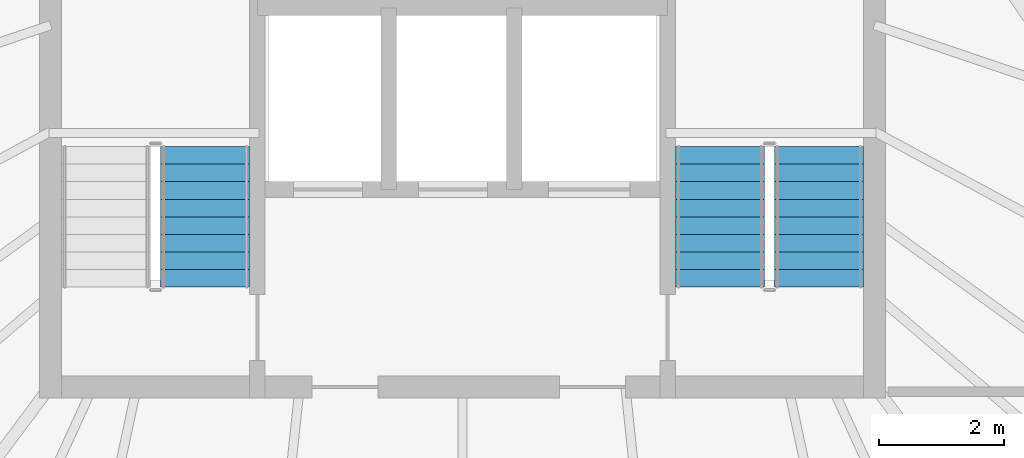
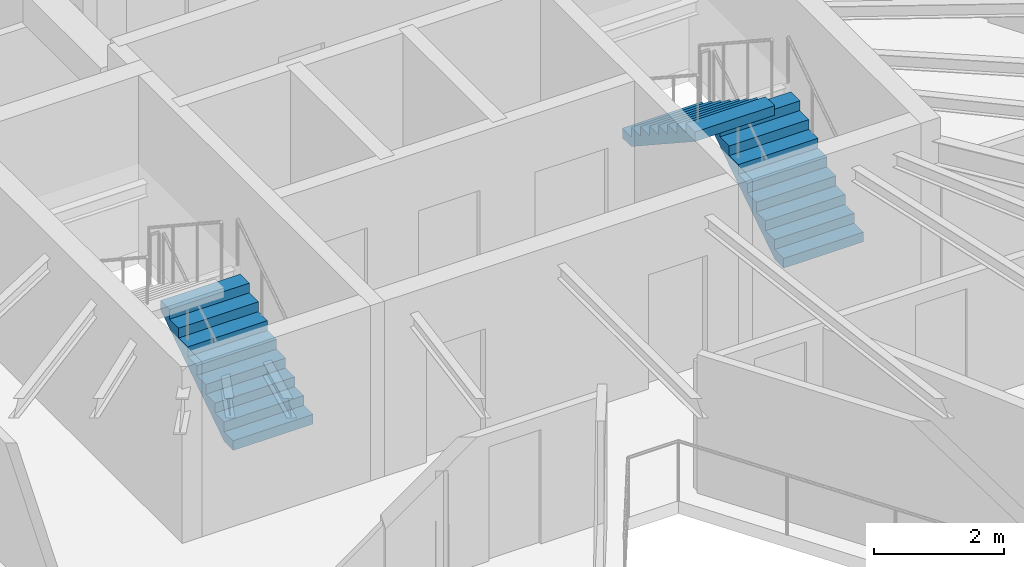
# One storey, part 27 of 29: 3 stair flights, 2 elements without a shape of their own.
"""IFC4 building model written with IfcOpenShell, lengths in metres."""

import ifcopenshell
import ifcopenshell.guid

model = None  # the IFC model being written
_history = None  # IfcOwnerHistory: only IFC2X3 demands one
_inside = {}  # id of a spatial element -> (the spatial element, [elements in it])
_under = {}  # id of a project, library or spatial element -> (it, [spatial elements below it])
_declared = {}  # id of a project -> (the project, [libraries it declares])
_typed = {}  # id of a type object -> (the type object, [elements of that type])
_made_of = {}  # id of a material, layer set ... -> (it, [elements and type objects made of it])


def new_model(schema):
    """Start an empty IFC model of exactly this schema.

    Asked for "IFC4X3", IfcOpenShell would pick the latest addendum, in which some entities
    have other attributes; the version numbers below select the first issue.
    IFC2X3 requires an IfcOwnerHistory on every rooted entity: one is made here for all.
    """
    global model, _history
    if schema == "IFC4X3":
        model = ifcopenshell.file(schema_version=(4, 3, 0, 0))
    else:
        model = ifcopenshell.file(schema=schema)
    _inside.clear()
    _under.clear()
    _declared.clear()
    _typed.clear()
    _made_of.clear()
    _history = None
    if model.schema == "IFC2X3":
        org = make("IfcOrganization", Name="unknown")
        user = make(
            "IfcPersonAndOrganization",
            ThePerson=make("IfcPerson", FamilyName="unknown"),
            TheOrganization=org,
        )
        app = make(
            "IfcApplication",
            ApplicationDeveloper=org,
            Version="unknown",
            ApplicationFullName="unknown",
            ApplicationIdentifier="unknown",
        )
        _history = make(
            "IfcOwnerHistory",
            OwningUser=user,
            OwningApplication=app,
            ChangeAction="ADDED",
            CreationDate=0,
        )
    return model


def make(cls, **values):
    """One entity of the class cls with the attributes given. An attribute that is None is left unset."""
    return model.create_entity(
        cls, **{name: value for name, value in values.items() if value is not None}
    )


def rooted(cls, **values):
    """An entity with a GlobalId (a new one), such as an element, a storey or a relation."""
    return make(cls, GlobalId=ifcopenshell.guid.new(), OwnerHistory=_history, **values)


def si_unit(unit_type, name, prefix=None):
    """IfcSIUnit, for example si_unit("LENGTHUNIT", "METRE", prefix="MILLI")."""
    return make("IfcSIUnit", UnitType=unit_type, Prefix=prefix, Name=name)


def assignment(units):
    """IfcUnitAssignment: the units of a project."""
    return None if units is None else make("IfcUnitAssignment", Units=units)


def point(xyz):
    """IfcCartesianPoint."""
    return None if xyz is None else make("IfcCartesianPoint", Coordinates=xyz)


def direction(xyz):
    """IfcDirection."""
    return None if xyz is None else make("IfcDirection", DirectionRatios=xyz)


def frame(location, z_axis=None, x_axis=None):
    """IfcAxis2Placement3D, a coordinate frame: its origin and axes. An axis left out is left unset."""
    return make(
        "IfcAxis2Placement3D",
        Location=point(location),
        Axis=direction(z_axis),
        RefDirection=direction(x_axis),
    )


def origin():
    """The frame at (0, 0, 0) with its axes left unset."""
    return frame((0.0, 0.0, 0.0))


def place(relative_to, where):
    """IfcLocalPlacement: puts the frame where relative to a parent placement (None: the world)."""
    return make(
        "IfcLocalPlacement", PlacementRelTo=relative_to, RelativePlacement=where
    )


def context(
    kind, dimensions, precision=None, world=None, true_north=None, identifier=None
):
    """IfcGeometricRepresentationContext, for example the 3D "Model" context."""
    return make(
        "IfcGeometricRepresentationContext",
        ContextIdentifier=identifier,
        ContextType=kind,
        CoordinateSpaceDimension=dimensions,
        Precision=precision,
        WorldCoordinateSystem=world,
        TrueNorth=true_north,
    )


def subcontext(parent, identifier, kind, view, scale=None):
    """IfcGeometricRepresentationSubContext, for example "Body" below "Model"."""
    return make(
        "IfcGeometricRepresentationSubContext",
        ContextIdentifier=identifier,
        ContextType=kind,
        ParentContext=parent,
        TargetScale=scale,
        TargetView=view,
    )


def project(units=None, contexts=None):
    """IfcProject with its units and contexts."""
    return rooted(
        "IfcProject",
        Name="project",
        RepresentationContexts=contexts,
        UnitsInContext=assignment(units),
    )


def spatial(cls, under=None, at=None, **own):
    """A site, building, storey or space (cls), placed at a placement, below another one or the project."""
    s = rooted(cls, ObjectPlacement=at, **own)
    if under is not None:
        _under.setdefault(under.id(), (under, []))[1].append(s)
    return s


def polyline(points):
    """IfcPolyline through the points."""
    return make("IfcPolyline", Points=[point(p) for p in points])


def outline(outer, holes=None, kind="AREA"):
    """IfcArbitraryClosedProfileDef: a profile drawn as a closed curve; with holes, ...WithVoids."""
    if holes is None:
        return make("IfcArbitraryClosedProfileDef", ProfileType=kind, OuterCurve=outer)
    return make(
        "IfcArbitraryProfileDefWithVoids",
        ProfileType=kind,
        OuterCurve=outer,
        InnerCurves=holes,
    )


def extrude(swept, where, along, depth):
    """IfcExtrudedAreaSolid: the profile swept, set in the frame where, extruded along a direction by depth."""
    return make(
        "IfcExtrudedAreaSolid",
        SweptArea=swept,
        Position=where,
        ExtrudedDirection=direction(along),
        Depth=depth,
    )


def shape(context_of_items, identifier, shape_type, items):
    """IfcShapeRepresentation: the items that make up one representation, for example the "Body"."""
    return make(
        "IfcShapeRepresentation",
        ContextOfItems=context_of_items,
        RepresentationIdentifier=identifier,
        RepresentationType=shape_type,
        Items=items,
    )


def material(Name=None, Category=None):
    """IfcMaterial."""
    return make("IfcMaterial", Name=Name, Category=Category)


def made_of(thing, what):
    """Note that an element or type object is made of a material, layer set ...; save() writes the relation."""
    if what is not None:
        _made_of.setdefault(what.id(), (what, []))[1].append(thing)
    return thing


def type_object(cls, material=None, **own):
    """A type object (cls), such as IfcWallType, which elements share."""
    return made_of(rooted(cls, **own), material)


def element(
    cls,
    number,
    at=None,
    inside=None,
    cuts=None,
    type_object=None,
    material=None,
    context=None,
    identifier="Body",
    shape_type=None,
    held_by="IfcProductDefinitionShape",
    body=None,
    shapes=None,
    **own,
):
    """One element of the class cls, such as IfcWall. Its Tag is "e" and its number.

    at: its placement. inside: the storey or other place that contains it. cuts: it is an
    opening in that element (IfcRelVoidsElement). A single representation is given by context,
    identifier, shape_type and body (its items); several are given by shapes. held_by: the class
    of the entity that holds the representations. save() writes the other relations.
    """
    e = rooted(cls, Tag="e%d" % number, ObjectPlacement=at, **own)
    if body is not None:
        shapes = [shape(context, identifier, shape_type, body)]
    if shapes is not None:
        e.Representation = make(held_by, Representations=shapes)
    if inside is not None:
        _inside.setdefault(inside.id(), (inside, []))[1].append(e)
    if cuts is not None:
        rooted(
            "IfcRelVoidsElement", RelatingBuildingElement=cuts, RelatedOpeningElement=e
        )
    if type_object is not None:
        _typed.setdefault(type_object.id(), (type_object, []))[1].append(e)
    return made_of(e, material)


def aggregate(whole, parts):
    """IfcRelAggregates: a whole, such as a stair, and the parts it consists of."""
    return rooted("IfcRelAggregates", RelatingObject=whole, RelatedObjects=parts)


def save(model, path):
    """Write the relations noted so far, then the file.

    IfcRelAggregates (storeys below a building ...), IfcRelContainedInSpatialStructure (elements
    in a storey), IfcRelDefinesByType, IfcRelAssociatesMaterial and IfcRelDeclares: one each for
    every whole, place, type object, material and project.
    """
    for whole, parts in _under.values():
        aggregate(whole, parts)
    for where, things in _inside.values():
        rooted(
            "IfcRelContainedInSpatialStructure",
            RelatedElements=things,
            RelatingStructure=where,
        )
    for kind, things in _typed.values():
        rooted("IfcRelDefinesByType", RelatedObjects=things, RelatingType=kind)
    for what, things in _made_of.values():
        rooted("IfcRelAssociatesMaterial", RelatedObjects=things, RelatingMaterial=what)
    for by, libraries in _declared.values():
        rooted("IfcRelDeclares", RelatingContext=by, RelatedDefinitions=libraries)
    model.write(path)


model = new_model("IFC4")

# Units and contexts
model_context = context("Model", 3, precision=1e-05, world=origin(), true_north=direction((0.0, 1.0)))
body_context = subcontext(model_context, "Body", "Model", "MODEL_VIEW")
ifc_project = project(units=[si_unit("LENGTHUNIT", "METRE"), si_unit("AREAUNIT", "SQUARE_METRE"), si_unit("VOLUMEUNIT", "CUBIC_METRE"), si_unit("PLANEANGLEUNIT", "RADIAN"), si_unit("MASSUNIT", "GRAM", prefix="KILO")], contexts=[model_context])

# Site, building, storey
site_placement = place(None, origin())
site = spatial("IfcSite", under=ifc_project, at=site_placement, CompositionType="ELEMENT")
building_placement = place(site_placement, origin())
building = spatial("IfcBuilding", under=site, at=building_placement, Name="Orvanel Arch Residences", CompositionType="ELEMENT")
storey_placement = place(building_placement, frame((0.0, 0.0, 253.550048828125)))
storey = spatial("IfcBuildingStorey", under=building, at=storey_placement, Name="L72", CompositionType="ELEMENT", Elevation=253.550048828125)

# Stair, stair flight
ifc_material = material(Name="Precast concrete N50 (50 MPa)", Category="concrete")
stair_type = type_object("IfcStairType", Name="STR-DOG-184", PredefinedType="USERDEFINED", material=ifc_material)
stair_1_placement = place(storey_placement, origin())
stair_1 = element("IfcStair", 1, at=stair_1_placement, inside=storey, type_object=stair_type, Name="L72 Fire-Isolated Core Exit Stair 1", ObjectType="TWO_RETURN_STAIR", PredefinedType="USERDEFINED")
stair_flight_type_1 = type_object("IfcStairFlightType", Name="SFL-C1-184", PredefinedType="STRAIGHT", material=ifc_material)
stair_flight_1_placement = place(storey_placement, frame((28.889892578125, 28.320068359375, 0.0), z_axis=(0.0, 0.0, 1.0), x_axis=(0.0, 1.0, 0.0)))
stair_flight_1 = element("IfcStairFlight", 2, at=stair_flight_1_placement, type_object=stair_flight_type_1, Name="ST-1 flight 1", NumberOfRisers=9, NumberOfTreads=8, PredefinedType="STRAIGHT", RiserHeight=0.183333333, TreadLength=0.28, context=body_context, shape_type="SweptSolid", body=[
    extrude(outline(polyline([(0.0, 0.0), (0.0, 0.183349609375), (0.280029296875, 0.183349609375), (0.280029296875, 0.36669921875), (0.56005859375, 0.36669921875), (0.56005859375, 0.550048828125), (0.840087890625, 0.550048828125), (0.840087890625, 0.7333984375), (1.1201171875, 0.7333984375), (1.1201171875, 0.916748046875), (1.39990234375, 0.916748046875), (1.39990234375, 1.10009765625), (1.679931640625, 1.10009765625), (1.679931640625, 1.283447265625), (1.9599609375, 1.283447265625), (1.9599609375, 1.466552734375), (2.239990234375, 1.466552734375), (2.239990234375, 1.64990234375), (2.239990234375, 1.28759765625), (0.273681640625, 0.0), (0.0, 0.0)])), frame((0.0, 0.7099609375, 0.0), z_axis=(0.0, -1.0, 0.0), x_axis=(1.0, 0.0, 0.0)), (0.0, 0.0, 1.0), 1.419921875),
])
aggregate(stair_1, [stair_flight_1])

# Stair, stair flights
stair_2_placement = place(storey_placement, origin())
stair_2 = element("IfcStair", 3, at=stair_2_placement, inside=storey, type_object=stair_type, Name="L72 Fire-Isolated Core Exit Stair 2", ObjectType="TWO_RETURN_STAIR", PredefinedType="USERDEFINED")
stair_flight_type_2 = type_object("IfcStairFlightType", Name="SFL-C2-184", PredefinedType="STRAIGHT", material=ifc_material)
stair_flight_2_placement = place(storey_placement, frame((38.68994140625, 28.320068359375, 0.0), z_axis=(0.0, 0.0, 1.0), x_axis=(0.0, 1.0, 0.0)))
stair_flight_2 = element("IfcStairFlight", 4, at=stair_flight_2_placement, type_object=stair_flight_type_2, Name="ST-2 flight 1", NumberOfRisers=9, NumberOfTreads=8, PredefinedType="STRAIGHT", RiserHeight=0.183333333, TreadLength=0.28, context=body_context, shape_type="SweptSolid", body=[
    extrude(outline(polyline([(0.0, 0.0), (0.0, 0.183349609375), (0.280029296875, 0.183349609375), (0.280029296875, 0.36669921875), (0.56005859375, 0.36669921875), (0.56005859375, 0.550048828125), (0.840087890625, 0.550048828125), (0.840087890625, 0.7333984375), (1.1201171875, 0.7333984375), (1.1201171875, 0.916748046875), (1.39990234375, 0.916748046875), (1.39990234375, 1.10009765625), (1.679931640625, 1.10009765625), (1.679931640625, 1.283447265625), (1.9599609375, 1.283447265625), (1.9599609375, 1.466552734375), (2.239990234375, 1.466552734375), (2.239990234375, 1.64990234375), (2.239990234375, 1.28759765625), (0.273681640625, 0.0), (0.0, 0.0)])), frame((0.0, 0.7099609375, 0.0), z_axis=(0.0, -1.0, 0.0), x_axis=(1.0, 0.0, 0.0)), (0.0, 0.0, 1.0), 1.419921875),
])
stair_flight_3_placement = place(storey_placement, frame((37.110107421875, 30.56005859375, 1.64990234375), z_axis=(0.0, 0.0, 1.0), x_axis=(0.0, -1.0, 0.0)))
stair_flight_3 = element("IfcStairFlight", 5, at=stair_flight_3_placement, type_object=stair_flight_type_2, Name="ST-2 flight 2", NumberOfRisers=9, NumberOfTreads=8, PredefinedType="STRAIGHT", RiserHeight=0.183333333, TreadLength=0.28, context=body_context, shape_type="SweptSolid", body=[
    extrude(outline(polyline([(0.0, 0.0), (0.0, 0.183349609375), (0.280029296875, 0.183349609375), (0.280029296875, 0.36669921875), (0.56005859375, 0.36669921875), (0.56005859375, 0.550048828125), (0.840087890625, 0.550048828125), (0.840087890625, 0.7333984375), (1.1201171875, 0.7333984375), (1.1201171875, 0.916748046875), (1.39990234375, 0.916748046875), (1.39990234375, 1.10009765625), (1.679931640625, 1.10009765625), (1.679931640625, 1.283447265625), (1.9599609375, 1.283447265625), (1.9599609375, 1.466552734375), (2.239990234375, 1.466552734375), (2.239990234375, 1.64990234375), (2.239990234375, 1.28759765625), (0.273681640625, 0.0), (0.0, 0.0)])), frame((0.0, 0.7099609375, 0.0), z_axis=(0.0, -1.0, 0.0), x_axis=(1.0, 0.0, 0.0)), (0.0, 0.0, 1.0), 1.419921875),
])
aggregate(stair_2, [stair_flight_2, stair_flight_3])

save(model, "model.ifc")
